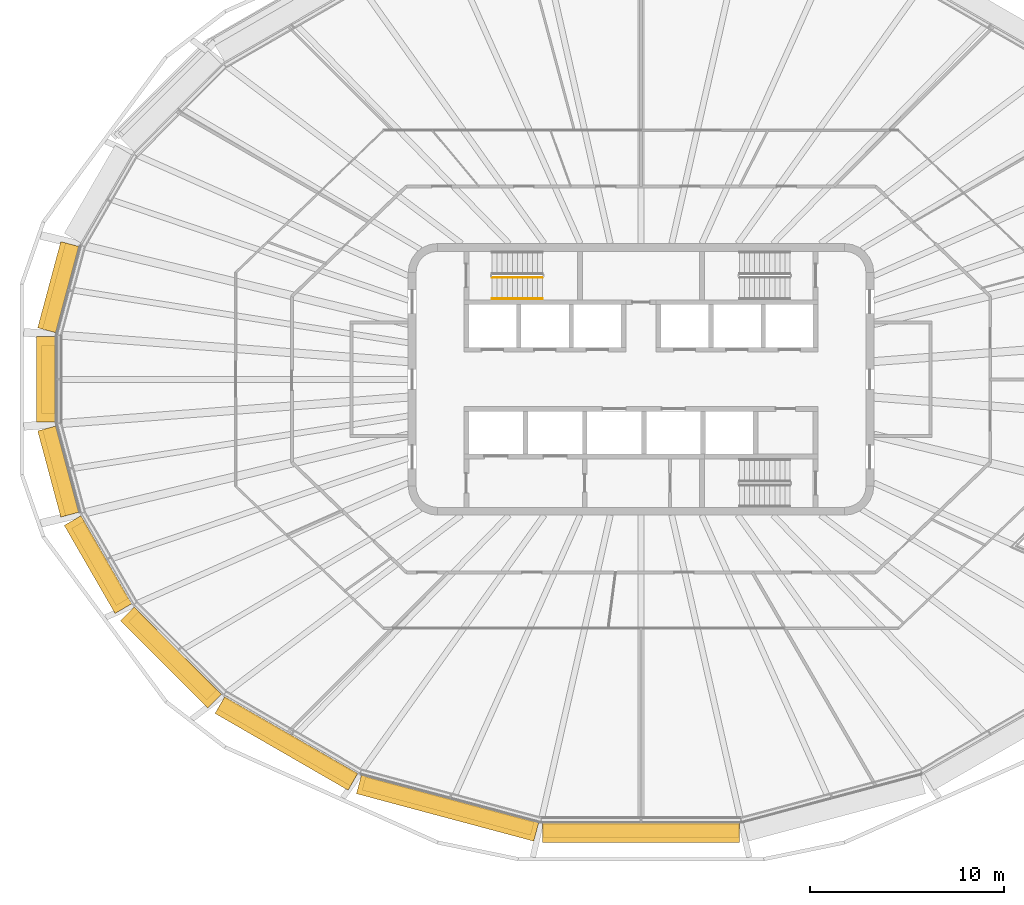
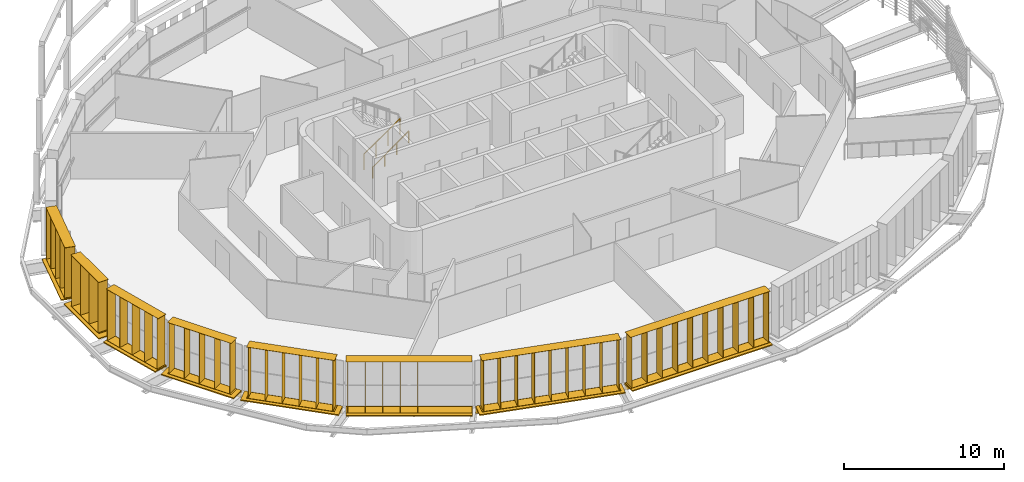
# One storey, part 16 of 21: 16 shading devices, 2 railings.
"""IFC4 building model written with IfcOpenShell, lengths in metres."""

from ifc_helpers import new_model, si_unit, direction, frame, origin, origin_2d, place, context, subcontext, project, spatial, rectangle, circle, extrude, material, type_object, element, save


model = new_model("IFC4")

# Units and contexts
model_context = context("Model", 3, precision=1e-05, world=origin(), true_north=direction((0.0, 1.0)))
body_context = subcontext(model_context, "Body", "Model", "MODEL_VIEW")
ifc_project = project(units=[si_unit("LENGTHUNIT", "METRE"), si_unit("AREAUNIT", "SQUARE_METRE"), si_unit("VOLUMEUNIT", "CUBIC_METRE"), si_unit("PLANEANGLEUNIT", "RADIAN"), si_unit("MASSUNIT", "GRAM", prefix="KILO")], contexts=[model_context])

# Site, building, storey
site_placement = place(None, origin())
site = spatial("IfcSite", under=ifc_project, at=site_placement, CompositionType="ELEMENT")
building_placement = place(site_placement, origin())
building = spatial("IfcBuilding", under=site, at=building_placement, Name="Sahrelin Media Tower", CompositionType="ELEMENT")
storey_placement = place(building_placement, frame((0.0, 0.0, 263.0)))
storey = spatial("IfcBuildingStorey", under=building, at=storey_placement, Name="L57", CompositionType="ELEMENT", Elevation=263.0)

# Shading devices
ifc_material_1 = material(Name="Champagne anodised aluminium 6063-T6", Category="aluminium")
shading_device_type_1 = type_object("IfcShadingDeviceType", Name="Fin cassette", PredefinedType="USERDEFINED", material=ifc_material_1)
placement_1 = place(storey_placement, frame((-29.517578125, 4.61376953125, 0.0), z_axis=(0.0, 0.0, 1.0), x_axis=(0.258807731996, 0.965928857556, 0.0)))
element("IfcShadingDevice", 1, at=placement_1, inside=storey, type_object=shading_device_type_1, Name="L57:FIN:L57-11", ObjectType="FIN", PredefinedType="USERDEFINED", context=body_context, shape_type="SweptSolid", body=[
    extrude(rectangle(XDim=4.60009765625, YDim=0.699951171875, at=origin_2d()), frame((0.0, 0.419921875, 0.0)), (0.0, 0.0, 1.0), 0.02001953125),
    extrude(rectangle(XDim=4.60009765625, YDim=0.699951171875, at=origin_2d()), frame((0.0, 0.419921875, 3.89990234375)), (0.0, 0.0, 1.0), 0.02001953125),
    extrude(rectangle(XDim=0.02001953125, YDim=0.699951171875, at=origin_2d()), frame((-2.199951171875, 0.419921875, 0.010009765625), z_axis=(0.0, 0.0, 1.0), x_axis=(1.0, 0.0, 0.0)), (0.0, 0.0, 1.0), 3.89990234375),
    extrude(rectangle(XDim=0.02001953125, YDim=0.699951171875, at=origin_2d()), frame((-1.10009765625, 0.419921875, 0.010009765625), z_axis=(0.0, 0.0, 1.0), x_axis=(1.0, 0.0, 0.0)), (0.0, 0.0, 1.0), 3.89990234375),
    extrude(rectangle(XDim=0.02001953125, YDim=0.699951171875, at=origin_2d()), frame((0.0, 0.419921875, 0.010009765625), z_axis=(0.0, 0.0, 1.0), x_axis=(1.0, 0.0, 0.0)), (0.0, 0.0, 1.0), 3.89990234375),
    extrude(rectangle(XDim=0.02001953125, YDim=0.699951171875, at=origin_2d()), frame((1.10009765625, 0.419921875, 0.010009765625), z_axis=(0.0, 0.0, 1.0), x_axis=(1.0, 0.0, 0.0)), (0.0, 0.0, 1.0), 3.89990234375),
    extrude(rectangle(XDim=0.02001953125, YDim=0.699951171875, at=origin_2d()), frame((2.199951171875, 0.419921875, 0.010009765625), z_axis=(0.0, 0.0, 1.0), x_axis=(1.0, 0.0, 0.0)), (0.0, 0.0, 1.0), 3.89990234375),
])
placement_2 = place(storey_placement, frame((-30.138671875, 0.0, 0.0), z_axis=(0.0, 0.0, 1.0), x_axis=(0.0, 1.0, 0.0)))
element("IfcShadingDevice", 2, at=placement_2, inside=storey, type_object=shading_device_type_1, Name="L57:FIN:L57-12", ObjectType="FIN", PredefinedType="USERDEFINED", context=body_context, shape_type="SweptSolid", body=[
    extrude(rectangle(XDim=3.5, YDim=0.699951171875, at=origin_2d()), frame((0.0, 0.419921875, 0.0)), (0.0, 0.0, 1.0), 0.02001953125),
    extrude(rectangle(XDim=3.5, YDim=0.699951171875, at=origin_2d()), frame((0.0, 0.419921875, 3.89990234375)), (0.0, 0.0, 1.0), 0.02001953125),
    extrude(rectangle(XDim=0.02001953125, YDim=0.699951171875, at=origin_2d()), frame((-1.64990234375, 0.419921875, 0.010009765625), z_axis=(0.0, 0.0, 1.0), x_axis=(1.0, 0.0, 0.0)), (0.0, 0.0, 1.0), 3.89990234375),
    extrude(rectangle(XDim=0.02001953125, YDim=0.699951171875, at=origin_2d()), frame((-0.550048828125, 0.419921875, 0.010009765625), z_axis=(0.0, 0.0, 1.0), x_axis=(1.0, 0.0, 0.0)), (0.0, 0.0, 1.0), 3.89990234375),
    extrude(rectangle(XDim=0.02001953125, YDim=0.699951171875, at=origin_2d()), frame((0.550048828125, 0.419921875, 0.010009765625), z_axis=(0.0, 0.0, 1.0), x_axis=(1.0, 0.0, 0.0)), (0.0, 0.0, 1.0), 3.89990234375),
    extrude(rectangle(XDim=0.02001953125, YDim=0.699951171875, at=origin_2d()), frame((1.64990234375, 0.419921875, 0.010009765625), z_axis=(0.0, 0.0, 1.0), x_axis=(1.0, 0.0, 0.0)), (0.0, 0.0, 1.0), 3.89990234375),
])
placement_3 = place(storey_placement, frame((-29.517578125, -4.61376953125, 0.0), z_axis=(0.0, 0.0, 1.0), x_axis=(-0.258807731996, 0.965928857556, 0.0)))
element("IfcShadingDevice", 3, at=placement_3, inside=storey, type_object=shading_device_type_1, Name="L57:FIN:L57-13", ObjectType="FIN", PredefinedType="USERDEFINED", context=body_context, shape_type="SweptSolid", body=[
    extrude(rectangle(XDim=4.60009765625, YDim=0.699951171875, at=origin_2d()), frame((0.0, 0.419921875, 0.0)), (0.0, 0.0, 1.0), 0.02001953125),
    extrude(rectangle(XDim=4.60009765625, YDim=0.699951171875, at=origin_2d()), frame((0.0, 0.419921875, 3.89990234375)), (0.0, 0.0, 1.0), 0.02001953125),
    extrude(rectangle(XDim=0.02001953125, YDim=0.699951171875, at=origin_2d()), frame((-2.199951171875, 0.419921875, 0.010009765625), z_axis=(0.0, 0.0, 1.0), x_axis=(1.0, 0.0, 0.0)), (0.0, 0.0, 1.0), 3.89990234375),
    extrude(rectangle(XDim=0.02001953125, YDim=0.699951171875, at=origin_2d()), frame((-1.10009765625, 0.419921875, 0.010009765625), z_axis=(0.0, 0.0, 1.0), x_axis=(1.0, 0.0, 0.0)), (0.0, 0.0, 1.0), 3.89990234375),
    extrude(rectangle(XDim=0.02001953125, YDim=0.699951171875, at=origin_2d()), frame((0.0, 0.419921875, 0.010009765625), z_axis=(0.0, 0.0, 1.0), x_axis=(1.0, 0.0, 0.0)), (0.0, 0.0, 1.0), 3.89990234375),
    extrude(rectangle(XDim=0.02001953125, YDim=0.699951171875, at=origin_2d()), frame((1.10009765625, 0.419921875, 0.010009765625), z_axis=(0.0, 0.0, 1.0), x_axis=(1.0, 0.0, 0.0)), (0.0, 0.0, 1.0), 3.89990234375),
    extrude(rectangle(XDim=0.02001953125, YDim=0.699951171875, at=origin_2d()), frame((2.199951171875, 0.419921875, 0.010009765625), z_axis=(0.0, 0.0, 1.0), x_axis=(1.0, 0.0, 0.0)), (0.0, 0.0, 1.0), 3.89990234375),
])
placement_4 = place(storey_placement, frame((-27.537109375, -9.2861328125, 0.0), z_axis=(0.0, 0.0, 1.0), x_axis=(-0.500011000363, 0.866019052629, 0.0)))
element("IfcShadingDevice", 4, at=placement_4, inside=storey, type_object=shading_device_type_1, Name="L57:FIN:L57-14", ObjectType="FIN", PredefinedType="USERDEFINED", context=body_context, shape_type="SweptSolid", body=[
    extrude(rectangle(XDim=4.60009765625, YDim=0.699951171875, at=origin_2d()), frame((0.0, 0.419921875, 0.0)), (0.0, 0.0, 1.0), 0.02001953125),
    extrude(rectangle(XDim=4.60009765625, YDim=0.699951171875, at=origin_2d()), frame((0.0, 0.419921875, 3.89990234375)), (0.0, 0.0, 1.0), 0.02001953125),
    extrude(rectangle(XDim=0.02001953125, YDim=0.699951171875, at=origin_2d()), frame((-2.199951171875, 0.419921875, 0.010009765625), z_axis=(0.0, 0.0, 1.0), x_axis=(1.0, 0.0, 0.0)), (0.0, 0.0, 1.0), 3.89990234375),
    extrude(rectangle(XDim=0.02001953125, YDim=0.699951171875, at=origin_2d()), frame((-1.10009765625, 0.419921875, 0.010009765625), z_axis=(0.0, 0.0, 1.0), x_axis=(1.0, 0.0, 0.0)), (0.0, 0.0, 1.0), 3.89990234375),
    extrude(rectangle(XDim=0.02001953125, YDim=0.699951171875, at=origin_2d()), frame((0.0, 0.419921875, 0.010009765625), z_axis=(0.0, 0.0, 1.0), x_axis=(1.0, 0.0, 0.0)), (0.0, 0.0, 1.0), 3.89990234375),
    extrude(rectangle(XDim=0.02001953125, YDim=0.699951171875, at=origin_2d()), frame((1.10009765625, 0.419921875, 0.010009765625), z_axis=(0.0, 0.0, 1.0), x_axis=(1.0, 0.0, 0.0)), (0.0, 0.0, 1.0), 3.89990234375),
    extrude(rectangle(XDim=0.02001953125, YDim=0.699951171875, at=origin_2d()), frame((2.199951171875, 0.419921875, 0.010009765625), z_axis=(0.0, 0.0, 1.0), x_axis=(1.0, 0.0, 0.0)), (0.0, 0.0, 1.0), 3.89990234375),
])
placement_5 = place(storey_placement, frame((-23.85546875, -13.962890625, 0.0), z_axis=(0.0, 0.0, 1.0), x_axis=(-0.707106781187, 0.707106781187, 0.0)))
element("IfcShadingDevice", 5, at=placement_5, inside=storey, type_object=shading_device_type_1, Name="L57:FIN:L57-15", ObjectType="FIN", PredefinedType="USERDEFINED", context=body_context, shape_type="SweptSolid", body=[
    extrude(rectangle(XDim=5.699951171875, YDim=0.699951171875, at=origin_2d()), frame((0.0, 0.419921875, 0.0)), (0.0, 0.0, 1.0), 0.02001953125),
    extrude(rectangle(XDim=5.699951171875, YDim=0.699951171875, at=origin_2d()), frame((0.0, 0.419921875, 3.89990234375)), (0.0, 0.0, 1.0), 0.02001953125),
    extrude(rectangle(XDim=0.02001953125, YDim=0.699951171875, at=origin_2d()), frame((-2.75, 0.419921875, 0.010009765625), z_axis=(0.0, 0.0, 1.0), x_axis=(1.0, 0.0, 0.0)), (0.0, 0.0, 1.0), 3.89990234375),
    extrude(rectangle(XDim=0.02001953125, YDim=0.699951171875, at=origin_2d()), frame((-1.64990234375, 0.419921875, 0.010009765625), z_axis=(0.0, 0.0, 1.0), x_axis=(1.0, 0.0, 0.0)), (0.0, 0.0, 1.0), 3.89990234375),
    extrude(rectangle(XDim=0.02001953125, YDim=0.699951171875, at=origin_2d()), frame((-0.550048828125, 0.419921875, 0.010009765625), z_axis=(0.0, 0.0, 1.0), x_axis=(1.0, 0.0, 0.0)), (0.0, 0.0, 1.0), 3.89990234375),
    extrude(rectangle(XDim=0.02001953125, YDim=0.699951171875, at=origin_2d()), frame((0.550048828125, 0.419921875, 0.010009765625), z_axis=(0.0, 0.0, 1.0), x_axis=(1.0, 0.0, 0.0)), (0.0, 0.0, 1.0), 3.89990234375),
    extrude(rectangle(XDim=0.02001953125, YDim=0.699951171875, at=origin_2d()), frame((1.64990234375, 0.419921875, 0.010009765625), z_axis=(0.0, 0.0, 1.0), x_axis=(1.0, 0.0, 0.0)), (0.0, 0.0, 1.0), 3.89990234375),
    extrude(rectangle(XDim=0.02001953125, YDim=0.699951171875, at=origin_2d()), frame((2.75, 0.419921875, 0.010009765625), z_axis=(0.0, 0.0, 1.0), x_axis=(1.0, 0.0, 0.0)), (0.0, 0.0, 1.0), 3.89990234375),
])
placement_6 = place(storey_placement, frame((-18.017578125, -18.31494140625, 0.0), z_axis=(0.0, 0.0, 1.0), x_axis=(-0.866019052629, 0.500011000363, 0.0)))
element("IfcShadingDevice", 6, at=placement_6, inside=storey, type_object=shading_device_type_1, Name="L57:FIN:L57-16", ObjectType="FIN", PredefinedType="USERDEFINED", context=body_context, shape_type="SweptSolid", body=[
    extrude(rectangle(XDim=7.89990234375, YDim=0.699951171875, at=origin_2d()), frame((0.0, 0.419921875, 0.0)), (0.0, 0.0, 1.0), 0.02001953125),
    extrude(rectangle(XDim=7.89990234375, YDim=0.699951171875, at=origin_2d()), frame((0.0, 0.419921875, 3.89990234375)), (0.0, 0.0, 1.0), 0.02001953125),
    extrude(rectangle(XDim=0.02001953125, YDim=0.699951171875, at=origin_2d()), frame((-3.85009765625, 0.419921875, 0.010009765625), z_axis=(0.0, 0.0, 1.0), x_axis=(1.0, 0.0, 0.0)), (0.0, 0.0, 1.0), 3.89990234375),
    extrude(rectangle(XDim=0.02001953125, YDim=0.699951171875, at=origin_2d()), frame((-2.75, 0.419921875, 0.010009765625), z_axis=(0.0, 0.0, 1.0), x_axis=(1.0, 0.0, 0.0)), (0.0, 0.0, 1.0), 3.89990234375),
    extrude(rectangle(XDim=0.02001953125, YDim=0.699951171875, at=origin_2d()), frame((-1.64990234375, 0.419921875, 0.010009765625), z_axis=(0.0, 0.0, 1.0), x_axis=(1.0, 0.0, 0.0)), (0.0, 0.0, 1.0), 3.89990234375),
    extrude(rectangle(XDim=0.02001953125, YDim=0.699951171875, at=origin_2d()), frame((-0.550048828125, 0.419921875, 0.010009765625), z_axis=(0.0, 0.0, 1.0), x_axis=(1.0, 0.0, 0.0)), (0.0, 0.0, 1.0), 3.89990234375),
    extrude(rectangle(XDim=0.02001953125, YDim=0.699951171875, at=origin_2d()), frame((0.550048828125, 0.419921875, 0.010009765625), z_axis=(0.0, 0.0, 1.0), x_axis=(1.0, 0.0, 0.0)), (0.0, 0.0, 1.0), 3.89990234375),
    extrude(rectangle(XDim=0.02001953125, YDim=0.699951171875, at=origin_2d()), frame((1.64990234375, 0.419921875, 0.010009765625), z_axis=(0.0, 0.0, 1.0), x_axis=(1.0, 0.0, 0.0)), (0.0, 0.0, 1.0), 3.89990234375),
    extrude(rectangle(XDim=0.02001953125, YDim=0.699951171875, at=origin_2d()), frame((2.75, 0.419921875, 0.010009765625), z_axis=(0.0, 0.0, 1.0), x_axis=(1.0, 0.0, 0.0)), (0.0, 0.0, 1.0), 3.89990234375),
    extrude(rectangle(XDim=0.02001953125, YDim=0.699951171875, at=origin_2d()), frame((3.85009765625, 0.419921875, 0.010009765625), z_axis=(0.0, 0.0, 1.0), x_axis=(1.0, 0.0, 0.0)), (0.0, 0.0, 1.0), 3.89990234375),
])
placement_7 = place(storey_placement, frame((-9.835693359375, -21.59521484375, 0.0), z_axis=(0.0, 0.0, 1.0), x_axis=(-0.965928857556, 0.258807731996, 0.0)))
element("IfcShadingDevice", 7, at=placement_7, inside=storey, type_object=shading_device_type_1, Name="L57:FIN:L57-17", ObjectType="FIN", PredefinedType="USERDEFINED", context=body_context, shape_type="SweptSolid", body=[
    extrude(rectangle(XDim=9.0, YDim=0.699951171875, at=origin_2d()), frame((0.0, 0.419921875, 0.0)), (0.0, 0.0, 1.0), 0.02001953125),
    extrude(rectangle(XDim=9.0, YDim=0.699951171875, at=origin_2d()), frame((0.0, 0.419921875, 3.89990234375)), (0.0, 0.0, 1.0), 0.02001953125),
    extrude(rectangle(XDim=0.02001953125, YDim=0.699951171875, at=origin_2d()), frame((-4.39990234375, 0.419921875, 0.010009765625), z_axis=(0.0, 0.0, 1.0), x_axis=(1.0, 0.0, 0.0)), (0.0, 0.0, 1.0), 3.89990234375),
    extrude(rectangle(XDim=0.02001953125, YDim=0.699951171875, at=origin_2d()), frame((-3.300048828125, 0.419921875, 0.010009765625), z_axis=(0.0, 0.0, 1.0), x_axis=(1.0, 0.0, 0.0)), (0.0, 0.0, 1.0), 3.89990234375),
    extrude(rectangle(XDim=0.02001953125, YDim=0.699951171875, at=origin_2d()), frame((-2.199951171875, 0.419921875, 0.010009765625), z_axis=(0.0, 0.0, 1.0), x_axis=(1.0, 0.0, 0.0)), (0.0, 0.0, 1.0), 3.89990234375),
    extrude(rectangle(XDim=0.02001953125, YDim=0.699951171875, at=origin_2d()), frame((-1.10009765625, 0.419921875, 0.010009765625), z_axis=(0.0, 0.0, 1.0), x_axis=(1.0, 0.0, 0.0)), (0.0, 0.0, 1.0), 3.89990234375),
    extrude(rectangle(XDim=0.02001953125, YDim=0.699951171875, at=origin_2d()), frame((0.0, 0.419921875, 0.010009765625), z_axis=(0.0, 0.0, 1.0), x_axis=(1.0, 0.0, 0.0)), (0.0, 0.0, 1.0), 3.89990234375),
    extrude(rectangle(XDim=0.02001953125, YDim=0.699951171875, at=origin_2d()), frame((1.10009765625, 0.419921875, 0.010009765625), z_axis=(0.0, 0.0, 1.0), x_axis=(1.0, 0.0, 0.0)), (0.0, 0.0, 1.0), 3.89990234375),
    extrude(rectangle(XDim=0.02001953125, YDim=0.699951171875, at=origin_2d()), frame((2.199951171875, 0.419921875, 0.010009765625), z_axis=(0.0, 0.0, 1.0), x_axis=(1.0, 0.0, 0.0)), (0.0, 0.0, 1.0), 3.89990234375),
    extrude(rectangle(XDim=0.02001953125, YDim=0.699951171875, at=origin_2d()), frame((3.300048828125, 0.419921875, 0.010009765625), z_axis=(0.0, 0.0, 1.0), x_axis=(1.0, 0.0, 0.0)), (0.0, 0.0, 1.0), 3.89990234375),
    extrude(rectangle(XDim=0.02001953125, YDim=0.699951171875, at=origin_2d()), frame((4.39990234375, 0.419921875, 0.010009765625), z_axis=(0.0, 0.0, 1.0), x_axis=(1.0, 0.0, 0.0)), (0.0, 0.0, 1.0), 3.89990234375),
])
placement_8 = place(storey_placement, frame((0.0, -22.84521484375, 0.0), z_axis=(0.0, 0.0, 1.0), x_axis=(-1.0, 0.0, 0.0)))
element("IfcShadingDevice", 8, at=placement_8, inside=storey, type_object=shading_device_type_1, Name="L57:FIN:L57-18", ObjectType="FIN", PredefinedType="USERDEFINED", context=body_context, shape_type="SweptSolid", body=[
    extrude(rectangle(XDim=10.10009765625, YDim=0.699951171875, at=origin_2d()), frame((0.0, 0.419921875, 0.0)), (0.0, 0.0, 1.0), 0.02001953125),
    extrude(rectangle(XDim=10.10009765625, YDim=0.699951171875, at=origin_2d()), frame((0.0, 0.419921875, 3.89990234375)), (0.0, 0.0, 1.0), 0.02001953125),
    extrude(rectangle(XDim=0.02001953125, YDim=0.699951171875, at=origin_2d()), frame((-4.949951171875, 0.419921875, 0.010009765625), z_axis=(0.0, 0.0, 1.0), x_axis=(1.0, 0.0, 0.0)), (0.0, 0.0, 1.0), 3.89990234375),
    extrude(rectangle(XDim=0.02001953125, YDim=0.699951171875, at=origin_2d()), frame((-3.85009765625, 0.419921875, 0.010009765625), z_axis=(0.0, 0.0, 1.0), x_axis=(1.0, 0.0, 0.0)), (0.0, 0.0, 1.0), 3.89990234375),
    extrude(rectangle(XDim=0.02001953125, YDim=0.699951171875, at=origin_2d()), frame((-2.75, 0.419921875, 0.010009765625), z_axis=(0.0, 0.0, 1.0), x_axis=(1.0, 0.0, 0.0)), (0.0, 0.0, 1.0), 3.89990234375),
    extrude(rectangle(XDim=0.02001953125, YDim=0.699951171875, at=origin_2d()), frame((-1.64990234375, 0.419921875, 0.010009765625), z_axis=(0.0, 0.0, 1.0), x_axis=(1.0, 0.0, 0.0)), (0.0, 0.0, 1.0), 3.89990234375),
    extrude(rectangle(XDim=0.02001953125, YDim=0.699951171875, at=origin_2d()), frame((-0.550048828125, 0.419921875, 0.010009765625), z_axis=(0.0, 0.0, 1.0), x_axis=(1.0, 0.0, 0.0)), (0.0, 0.0, 1.0), 3.89990234375),
    extrude(rectangle(XDim=0.02001953125, YDim=0.699951171875, at=origin_2d()), frame((0.550048828125, 0.419921875, 0.010009765625), z_axis=(0.0, 0.0, 1.0), x_axis=(1.0, 0.0, 0.0)), (0.0, 0.0, 1.0), 3.89990234375),
    extrude(rectangle(XDim=0.02001953125, YDim=0.699951171875, at=origin_2d()), frame((1.64990234375, 0.419921875, 0.010009765625), z_axis=(0.0, 0.0, 1.0), x_axis=(1.0, 0.0, 0.0)), (0.0, 0.0, 1.0), 3.89990234375),
    extrude(rectangle(XDim=0.02001953125, YDim=0.699951171875, at=origin_2d()), frame((2.75, 0.419921875, 0.010009765625), z_axis=(0.0, 0.0, 1.0), x_axis=(1.0, 0.0, 0.0)), (0.0, 0.0, 1.0), 3.89990234375),
    extrude(rectangle(XDim=0.02001953125, YDim=0.699951171875, at=origin_2d()), frame((3.85009765625, 0.419921875, 0.010009765625), z_axis=(0.0, 0.0, 1.0), x_axis=(1.0, 0.0, 0.0)), (0.0, 0.0, 1.0), 3.89990234375),
    extrude(rectangle(XDim=0.02001953125, YDim=0.699951171875, at=origin_2d()), frame((4.949951171875, 0.419921875, 0.010009765625), z_axis=(0.0, 0.0, 1.0), x_axis=(1.0, 0.0, 0.0)), (0.0, 0.0, 1.0), 3.89990234375),
])

# Railings
ifc_material_2 = material(Name="Steel S355", Category="steel")
railing_type_1 = type_object("IfcRailingType", Name="Stair guard 1200", PredefinedType="GUARDRAIL", material=ifc_material_2)
railing_1_placement = place(storey_placement, frame((-7.675048828125, 5.25, 0.181884765625)))
element("IfcRailing", 9, at=railing_1_placement, inside=storey, type_object=railing_type_1, Name="L57 ST1 stair guard 1", PredefinedType="GUARDRAIL", context=body_context, shape_type="SweptSolid", body=[
    extrude(circle(Radius=0.02392578125, at=origin_2d()), frame((0.0, 0.0, 1.17578125), z_axis=(0.819521025635, 0.0, 0.573049115296), x_axis=(0.0, 1.0, 0.0)), (0.0, 0.0, 1.0), 3.172607421875),
    extrude(circle(Radius=0.02099609375, at=origin_2d()), origin(), (0.0, 0.0, 1.0), 1.15185546875),
    extrude(circle(Radius=0.02099609375, at=origin_2d()), frame((0.86669921875, 0.0, 0.60595703125)), (0.0, 0.0, 1.0), 1.15185546875),
    extrude(circle(Radius=0.02099609375, at=origin_2d()), frame((1.7333984375, 0.0, 1.212158203125)), (0.0, 0.0, 1.0), 1.15185546875),
    extrude(circle(Radius=0.02099609375, at=origin_2d()), frame((2.60009765625, 0.0, 1.818115234375)), (0.0, 0.0, 1.0), 1.15185546875),
])
railing_type_2 = type_object("IfcRailingType", Name="Stair handrail 900", PredefinedType="HANDRAIL", material=ifc_material_2)
railing_2_placement = place(storey_placement, frame((-7.675048828125, 4.14990234375, 0.181884765625)))
element("IfcRailing", 10, at=railing_2_placement, inside=storey, type_object=railing_type_2, Name="L57 ST1 stair handrail 1", PredefinedType="HANDRAIL", context=body_context, shape_type="SweptSolid", body=[
    extrude(circle(Radius=0.02392578125, at=origin_2d()), frame((0.0, 0.0, 0.8759765625), z_axis=(0.819521025635, 0.0, 0.573049115296), x_axis=(0.0, 1.0, 0.0)), (0.0, 0.0, 1.0), 3.172607421875),
    extrude(circle(Radius=0.02099609375, at=origin_2d()), origin(), (0.0, 0.0, 1.0), 0.851806640625),
    extrude(circle(Radius=0.02099609375, at=origin_2d()), frame((0.86669921875, 0.0, 0.60595703125)), (0.0, 0.0, 1.0), 0.851806640625),
    extrude(circle(Radius=0.02099609375, at=origin_2d()), frame((1.7333984375, 0.0, 1.212158203125)), (0.0, 0.0, 1.0), 0.851806640625),
    extrude(circle(Radius=0.02099609375, at=origin_2d()), frame((2.60009765625, 0.0, 1.818115234375)), (0.0, 0.0, 1.0), 0.851806640625),
])

# Shading devices
shading_device_type_2 = type_object("IfcShadingDeviceType", Name="Sunshade band", PredefinedType="USERDEFINED", material=ifc_material_1)
element("IfcShadingDevice", 11, at=placement_1, inside=storey, type_object=shading_device_type_2, Name="L57:SUN:L57-11", ObjectType="SUNSHADE", PredefinedType="USERDEFINED", context=body_context, shape_type="SweptSolid", body=[
    extrude(rectangle(XDim=4.597900390625, YDim=0.050048828125, at=origin_2d()), frame((0.0, 0.044921875, -0.55126953125)), (0.0, 0.0, 1.0), 0.471435546875),
    extrude(rectangle(XDim=4.597900390625, YDim=1.0, at=origin_2d()), frame((0.0, 0.52001953125, -0.080078125)), (0.0, 0.0, 1.0), 0.080078125),
    extrude(rectangle(XDim=0.10009765625, YDim=0.074951171875, at=origin_2d()), frame((-2.198974609375, -0.017578125, -0.47021484375)), (0.0, 0.0, 1.0), 0.300048828125),
    extrude(rectangle(XDim=0.10009765625, YDim=0.074951171875, at=origin_2d()), frame((-0.73291015625, -0.017578125, -0.47021484375)), (0.0, 0.0, 1.0), 0.300048828125),
    extrude(rectangle(XDim=0.10009765625, YDim=0.074951171875, at=origin_2d()), frame((0.73291015625, -0.017578125, -0.47021484375)), (0.0, 0.0, 1.0), 0.300048828125),
    extrude(rectangle(XDim=0.10009765625, YDim=0.074951171875, at=origin_2d()), frame((2.198974609375, -0.017578125, -0.47021484375)), (0.0, 0.0, 1.0), 0.300048828125),
])
element("IfcShadingDevice", 12, at=placement_2, inside=storey, type_object=shading_device_type_2, Name="L57:SUN:L57-12", ObjectType="SUNSHADE", PredefinedType="USERDEFINED", context=body_context, shape_type="SweptSolid", body=[
    extrude(rectangle(XDim=4.393310546875, YDim=0.050048828125, at=origin_2d()), frame((0.0, 0.044921875, -0.55126953125)), (0.0, 0.0, 1.0), 0.471435546875),
    extrude(rectangle(XDim=4.393310546875, YDim=1.0, at=origin_2d()), frame((0.0, 0.52001953125, -0.080078125)), (0.0, 0.0, 1.0), 0.080078125),
    extrude(rectangle(XDim=0.10009765625, YDim=0.074951171875, at=origin_2d()), frame((-2.0966796875, -0.017578125, -0.47021484375)), (0.0, 0.0, 1.0), 0.300048828125),
    extrude(rectangle(XDim=0.10009765625, YDim=0.074951171875, at=origin_2d()), frame((-0.698974609375, -0.017578125, -0.47021484375)), (0.0, 0.0, 1.0), 0.300048828125),
    extrude(rectangle(XDim=0.10009765625, YDim=0.074951171875, at=origin_2d()), frame((0.698974609375, -0.017578125, -0.47021484375)), (0.0, 0.0, 1.0), 0.300048828125),
    extrude(rectangle(XDim=0.10009765625, YDim=0.074951171875, at=origin_2d()), frame((2.0966796875, -0.017578125, -0.47021484375)), (0.0, 0.0, 1.0), 0.300048828125),
])
element("IfcShadingDevice", 13, at=placement_3, inside=storey, type_object=shading_device_type_2, Name="L57:SUN:L57-13", ObjectType="SUNSHADE", PredefinedType="USERDEFINED", context=body_context, shape_type="SweptSolid", body=[
    extrude(rectangle(XDim=4.597900390625, YDim=0.050048828125, at=origin_2d()), frame((0.0, 0.044921875, -0.55126953125)), (0.0, 0.0, 1.0), 0.471435546875),
    extrude(rectangle(XDim=4.597900390625, YDim=1.0, at=origin_2d()), frame((0.0, 0.52001953125, -0.080078125)), (0.0, 0.0, 1.0), 0.080078125),
    extrude(rectangle(XDim=0.10009765625, YDim=0.074951171875, at=origin_2d()), frame((-2.198974609375, -0.017578125, -0.47021484375)), (0.0, 0.0, 1.0), 0.300048828125),
    extrude(rectangle(XDim=0.10009765625, YDim=0.074951171875, at=origin_2d()), frame((-0.73291015625, -0.017578125, -0.47021484375)), (0.0, 0.0, 1.0), 0.300048828125),
    extrude(rectangle(XDim=0.10009765625, YDim=0.074951171875, at=origin_2d()), frame((0.73291015625, -0.017578125, -0.47021484375)), (0.0, 0.0, 1.0), 0.300048828125),
    extrude(rectangle(XDim=0.10009765625, YDim=0.074951171875, at=origin_2d()), frame((2.198974609375, -0.017578125, -0.47021484375)), (0.0, 0.0, 1.0), 0.300048828125),
])
element("IfcShadingDevice", 14, at=placement_4, inside=storey, type_object=shading_device_type_2, Name="L57:SUN:L57-14", ObjectType="SUNSHADE", PredefinedType="USERDEFINED", context=body_context, shape_type="SweptSolid", body=[
    extrude(rectangle(XDim=5.239013671875, YDim=0.050048828125, at=origin_2d()), frame((0.0, 0.044921875, -0.55126953125)), (0.0, 0.0, 1.0), 0.471435546875),
    extrude(rectangle(XDim=5.239013671875, YDim=1.0, at=origin_2d()), frame((0.0, 0.52001953125, -0.080078125)), (0.0, 0.0, 1.0), 0.080078125),
    extrude(rectangle(XDim=0.10009765625, YDim=0.074951171875, at=origin_2d()), frame((-2.51953125, -0.017578125, -0.47021484375)), (0.0, 0.0, 1.0), 0.300048828125),
    extrude(rectangle(XDim=0.10009765625, YDim=0.074951171875, at=origin_2d()), frame((-0.83984375, -0.017578125, -0.47021484375)), (0.0, 0.0, 1.0), 0.300048828125),
    extrude(rectangle(XDim=0.10009765625, YDim=0.074951171875, at=origin_2d()), frame((0.83984375, -0.017578125, -0.47021484375)), (0.0, 0.0, 1.0), 0.300048828125),
    extrude(rectangle(XDim=0.10009765625, YDim=0.074951171875, at=origin_2d()), frame((2.51953125, -0.017578125, -0.47021484375)), (0.0, 0.0, 1.0), 0.300048828125),
])
element("IfcShadingDevice", 15, at=placement_5, inside=storey, type_object=shading_device_type_2, Name="L57:SUN:L57-15", ObjectType="SUNSHADE", PredefinedType="USERDEFINED", context=body_context, shape_type="SweptSolid", body=[
    extrude(rectangle(XDim=6.3671875, YDim=0.050048828125, at=origin_2d()), frame((0.0, 0.044921875, -0.55126953125)), (0.0, 0.0, 1.0), 0.471435546875),
    extrude(rectangle(XDim=6.3671875, YDim=1.0, at=origin_2d()), frame((0.0, 0.52001953125, -0.080078125)), (0.0, 0.0, 1.0), 0.080078125),
    extrude(rectangle(XDim=0.10009765625, YDim=0.074951171875, at=origin_2d()), frame((-3.08349609375, -0.017578125, -0.47021484375)), (0.0, 0.0, 1.0), 0.300048828125),
    extrude(rectangle(XDim=0.10009765625, YDim=0.074951171875, at=origin_2d()), frame((-1.541748046875, -0.017578125, -0.47021484375)), (0.0, 0.0, 1.0), 0.300048828125),
    extrude(rectangle(XDim=0.10009765625, YDim=0.074951171875, at=origin_2d()), frame((0.0, -0.017578125, -0.47021484375)), (0.0, 0.0, 1.0), 0.300048828125),
    extrude(rectangle(XDim=0.10009765625, YDim=0.074951171875, at=origin_2d()), frame((1.541748046875, -0.017578125, -0.47021484375)), (0.0, 0.0, 1.0), 0.300048828125),
    extrude(rectangle(XDim=0.10009765625, YDim=0.074951171875, at=origin_2d()), frame((3.08349609375, -0.017578125, -0.47021484375)), (0.0, 0.0, 1.0), 0.300048828125),
])
element("IfcShadingDevice", 16, at=placement_6, inside=storey, type_object=shading_device_type_2, Name="L57:SUN:L57-16", ObjectType="SUNSHADE", PredefinedType="USERDEFINED", context=body_context, shape_type="SweptSolid", body=[
    extrude(rectangle(XDim=7.92041015625, YDim=0.050048828125, at=origin_2d()), frame((0.0, 0.044921875, -0.55126953125)), (0.0, 0.0, 1.0), 0.471435546875),
    extrude(rectangle(XDim=7.92041015625, YDim=1.0, at=origin_2d()), frame((0.0, 0.52001953125, -0.080078125)), (0.0, 0.0, 1.0), 0.080078125),
    extrude(rectangle(XDim=0.10009765625, YDim=0.074951171875, at=origin_2d()), frame((-3.860107421875, -0.017578125, -0.47021484375)), (0.0, 0.0, 1.0), 0.300048828125),
    extrude(rectangle(XDim=0.10009765625, YDim=0.074951171875, at=origin_2d()), frame((-1.93017578125, -0.017578125, -0.47021484375)), (0.0, 0.0, 1.0), 0.300048828125),
    extrude(rectangle(XDim=0.10009765625, YDim=0.074951171875, at=origin_2d()), frame((0.0, -0.017578125, -0.47021484375)), (0.0, 0.0, 1.0), 0.300048828125),
    extrude(rectangle(XDim=0.10009765625, YDim=0.074951171875, at=origin_2d()), frame((1.93017578125, -0.017578125, -0.47021484375)), (0.0, 0.0, 1.0), 0.300048828125),
    extrude(rectangle(XDim=0.10009765625, YDim=0.074951171875, at=origin_2d()), frame((3.860107421875, -0.017578125, -0.47021484375)), (0.0, 0.0, 1.0), 0.300048828125),
])
element("IfcShadingDevice", 17, at=placement_7, inside=storey, type_object=shading_device_type_2, Name="L57:SUN:L57-17", ObjectType="SUNSHADE", PredefinedType="USERDEFINED", context=body_context, shape_type="SweptSolid", body=[
    extrude(rectangle(XDim=9.46044921875, YDim=0.050048828125, at=origin_2d()), frame((0.0, 0.044921875, -0.55126953125)), (0.0, 0.0, 1.0), 0.471435546875),
    extrude(rectangle(XDim=9.46044921875, YDim=1.0, at=origin_2d()), frame((0.0, 0.52001953125, -0.080078125)), (0.0, 0.0, 1.0), 0.080078125),
    extrude(rectangle(XDim=0.10009765625, YDim=0.074951171875, at=origin_2d()), frame((-4.630126953125, -0.017578125, -0.47021484375)), (0.0, 0.0, 1.0), 0.300048828125),
    extrude(rectangle(XDim=0.10009765625, YDim=0.074951171875, at=origin_2d()), frame((-2.778076171875, -0.017578125, -0.47021484375)), (0.0, 0.0, 1.0), 0.300048828125),
    extrude(rectangle(XDim=0.10009765625, YDim=0.074951171875, at=origin_2d()), frame((-0.926025390625, -0.017578125, -0.47021484375)), (0.0, 0.0, 1.0), 0.300048828125),
    extrude(rectangle(XDim=0.10009765625, YDim=0.074951171875, at=origin_2d()), frame((0.926025390625, -0.017578125, -0.47021484375)), (0.0, 0.0, 1.0), 0.300048828125),
    extrude(rectangle(XDim=0.10009765625, YDim=0.074951171875, at=origin_2d()), frame((2.778076171875, -0.017578125, -0.47021484375)), (0.0, 0.0, 1.0), 0.300048828125),
    extrude(rectangle(XDim=0.10009765625, YDim=0.074951171875, at=origin_2d()), frame((4.630126953125, -0.017578125, -0.47021484375)), (0.0, 0.0, 1.0), 0.300048828125),
])
element("IfcShadingDevice", 18, at=placement_8, inside=storey, type_object=shading_device_type_2, Name="L57:SUN:L57-18", ObjectType="SUNSHADE", PredefinedType="USERDEFINED", context=body_context, shape_type="SweptSolid", body=[
    extrude(rectangle(XDim=10.14013671875, YDim=0.050048828125, at=origin_2d()), frame((0.0, 0.044921875, -0.55126953125)), (0.0, 0.0, 1.0), 0.471435546875),
    extrude(rectangle(XDim=10.14013671875, YDim=1.0, at=origin_2d()), frame((0.0, 0.52001953125, -0.080078125)), (0.0, 0.0, 1.0), 0.080078125),
    extrude(rectangle(XDim=0.10009765625, YDim=0.074951171875, at=origin_2d()), frame((-4.97021484375, -0.017578125, -0.47021484375)), (0.0, 0.0, 1.0), 0.300048828125),
    extrude(rectangle(XDim=0.10009765625, YDim=0.074951171875, at=origin_2d()), frame((-3.3134765625, -0.017578125, -0.47021484375)), (0.0, 0.0, 1.0), 0.300048828125),
    extrude(rectangle(XDim=0.10009765625, YDim=0.074951171875, at=origin_2d()), frame((-1.65673828125, -0.017578125, -0.47021484375)), (0.0, 0.0, 1.0), 0.300048828125),
    extrude(rectangle(XDim=0.10009765625, YDim=0.074951171875, at=origin_2d()), frame((0.0, -0.017578125, -0.47021484375)), (0.0, 0.0, 1.0), 0.300048828125),
    extrude(rectangle(XDim=0.10009765625, YDim=0.074951171875, at=origin_2d()), frame((1.65673828125, -0.017578125, -0.47021484375)), (0.0, 0.0, 1.0), 0.300048828125),
    extrude(rectangle(XDim=0.10009765625, YDim=0.074951171875, at=origin_2d()), frame((3.3134765625, -0.017578125, -0.47021484375)), (0.0, 0.0, 1.0), 0.300048828125),
    extrude(rectangle(XDim=0.10009765625, YDim=0.074951171875, at=origin_2d()), frame((4.97021484375, -0.017578125, -0.47021484375)), (0.0, 0.0, 1.0), 0.300048828125),
])

save(model, "model.ifc")
